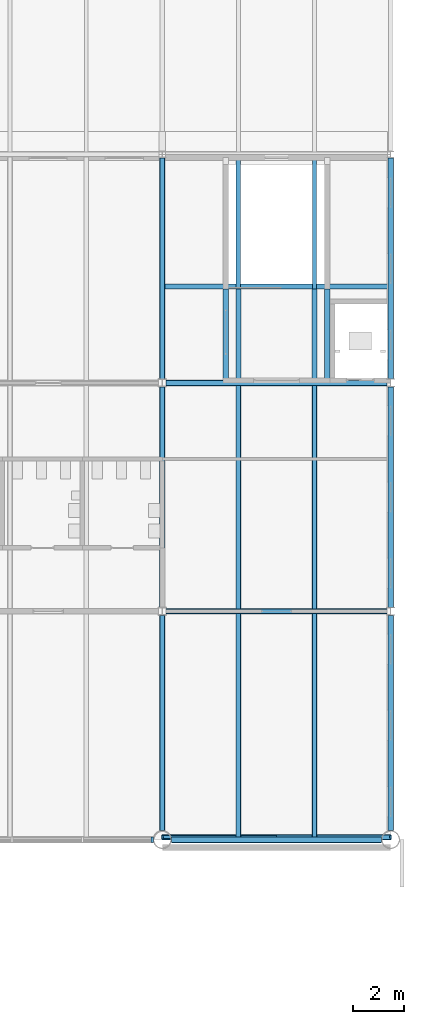
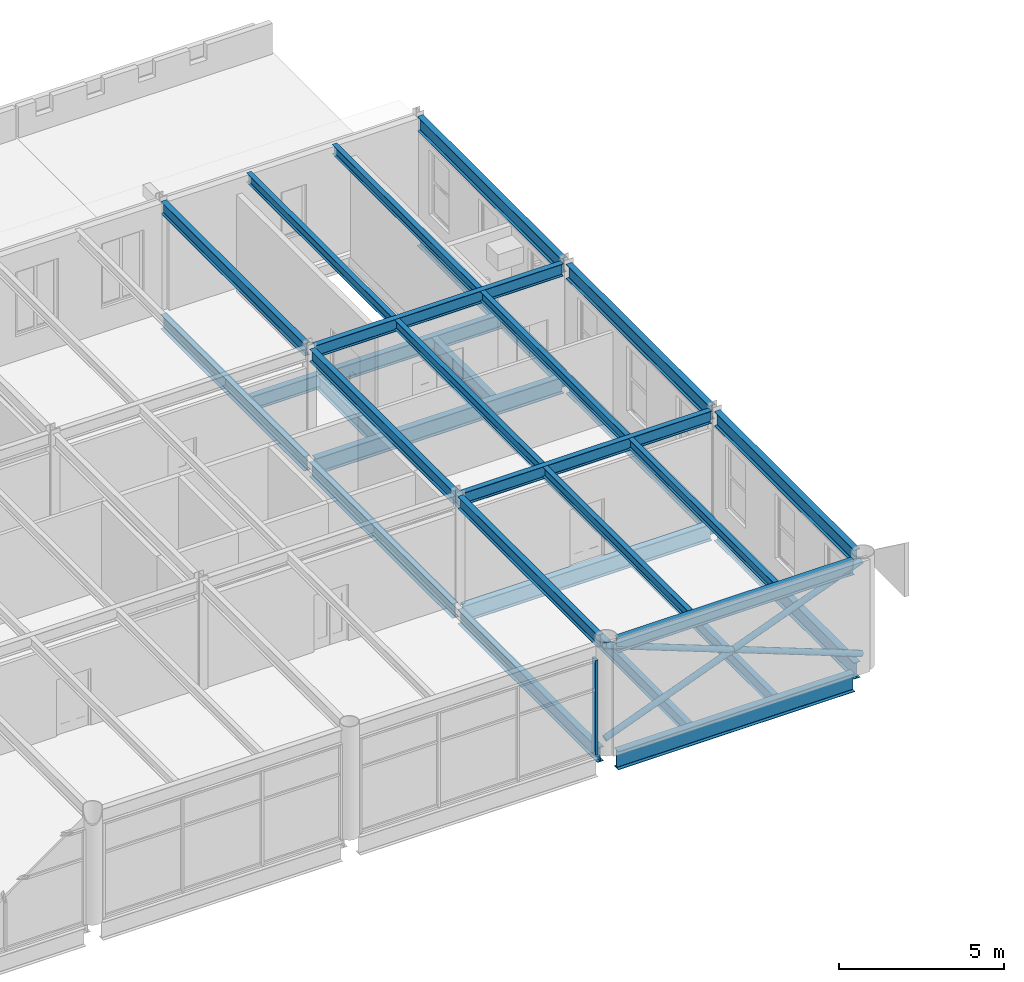
# One storey, part 49 of 123: 33 beams, 3 members, 1 element without a shape of its own.
"""IFC4 building model written with IfcOpenShell, lengths in metres."""

from ifc_helpers import new_model, si_unit, direction, frame, origin, origin_2d, place, context, subcontext, project, spatial, rectangle, hollow_circle, i_section, extrude, material, material_profile, profile_set, type_object, element, aggregate, save


model = new_model("IFC4")

# Units and contexts
model_context = context("Model", 3, precision=1e-05, world=origin(), true_north=direction((0.0, 1.0)))
body_context = subcontext(model_context, "Body", "Model", "MODEL_VIEW")
ifc_project = project(units=[si_unit("LENGTHUNIT", "METRE"), si_unit("AREAUNIT", "SQUARE_METRE"), si_unit("VOLUMEUNIT", "CUBIC_METRE"), si_unit("PLANEANGLEUNIT", "RADIAN"), si_unit("MASSUNIT", "GRAM", prefix="KILO")], contexts=[model_context])

# Site, building, storey
site_placement = place(None, origin())
site = spatial("IfcSite", under=ifc_project, at=site_placement, CompositionType="ELEMENT")
building_placement = place(site_placement, origin())
building = spatial("IfcBuilding", under=site, at=building_placement, Name="Baradari Gate Terminus", CompositionType="ELEMENT")
storey_placement = place(building_placement, frame((0.0, 0.0, 7.5)))
storey = spatial("IfcBuildingStorey", under=building, at=storey_placement, Name="L01", CompositionType="ELEMENT", Elevation=7.5)

# Members
ifc_material_1 = material(Name="Steel S355", Category="steel")
ifc_material_profile_1 = material_profile(ifc_material_1, hollow_circle(Radius=0.109619140625, WallThickness=0.010009765625, at=origin_2d()), Name="CHS 219.1x10")
ifc_profile_set_1 = profile_set([ifc_material_profile_1], Name="Steel S355")
member_type_1 = type_object("IfcMemberType", Name="Column bracing X08 CHS 219.1x10", PredefinedType="BRACE", material=ifc_profile_set_1)
for number, where, z_axis, x_axis, name in (
    (1, (234.0, 81.10009765625, 0.35009765625), (0.933747810426, 0.0, 0.357931594757), (0.0, 1.0, 0.0), "Column bracing 27-28 line K L01"),
    (2, (243.0, 81.10009765625, 0.35009765625), (-0.933747810426, 0.0, 0.357931594757), (0.0, -1.0, 0.0), "Column bracing 27-28 line K L01"),
):
    element("IfcMember", number, at=place(storey_placement, frame(where, z_axis=z_axis, x_axis=x_axis)), inside=storey, type_object=member_type_1, Name=name, PredefinedType="BRACE", context=body_context, shape_type="SweptSolid", body=[
        extrude(hollow_circle(Radius=0.109619140625, WallThickness=0.010009765625, at=origin_2d()), origin(), (0.0, 0.0, 1.0), 9.638671875),
    ])

# Curtain wall, member
ifc_material_2 = material(Name="Aluminium 6063-T6", Category="aluminium")
curtain_wall_type = type_object("IfcCurtainWallType", Name="Curtain wall CW-13 concourse gallery glazing", PredefinedType="NOTDEFINED", material=ifc_material_2)
curtain_wall_placement = place(storey_placement, origin())
curtain_wall = element("IfcCurtainWall", 3, at=curtain_wall_placement, inside=storey, type_object=curtain_wall_type, Name="Glazed curtain wall CW-13 HS bay 26 L01", PredefinedType="NOTDEFINED")
ifc_material_3 = material(Name="Aluminium 6063-T6", Category="aluminium")
ifc_material_profile_2 = material_profile(ifc_material_3, rectangle(XDim=0.22509765625, YDim=0.080078125, at=origin_2d()), Name="CM-13 80X225")
ifc_profile_set_2 = profile_set([ifc_material_profile_2], Name="Aluminium 6063-T6")
member_type_2 = type_object("IfcMemberType", Name="Curtain wall mullion CM-13 80x225", PredefinedType="MULLION", material=ifc_profile_set_2)
member_placement = place(storey_placement, frame((233.6044921875, 81.0, 0.0), z_axis=(0.0, 0.0, 1.0), x_axis=(0.0, 1.0, 0.0)))
member = element("IfcMember", 4, at=member_placement, type_object=member_type_2, Name="CW-13 mullion 4", PredefinedType="MULLION", context=body_context, shape_type="SweptSolid", body=[
    extrude(rectangle(XDim=0.22509765625, YDim=0.080078125, at=origin_2d()), origin(), (0.0, 0.0, 1.0), 3.516845703125),
])
aggregate(curtain_wall, [member])

# Beams
ifc_material_4 = material(Name="Steel S355", Category="steel")
ifc_material_profile_3 = material_profile(ifc_material_4, i_section(OverallWidth=0.210693359375, OverallDepth=0.53955078125, WebThickness=0.01171875, FlangeThickness=0.018798828125, FilletRadius=0.0126953125, at=origin_2d()), Name="UB 533x210x109")
ifc_profile_set_3 = profile_set([ifc_material_profile_3], Name="Steel S355")
beam_type_1 = type_object("IfcBeamType", Name="Head-house cross girder B12 UB 533x210x109", PredefinedType="BEAM", material=ifc_profile_set_3)
beam_1_placement = place(storey_placement, frame((234.0, 81.35546875, -0.399658203125), z_axis=(0.0, 1.0, 0.0), x_axis=(-1.0, 0.0, 0.0)))
element("IfcBeam", 5, at=beam_1_placement, inside=storey, type_object=beam_type_1, Name="Head-house cross girder B12 27:81.356-89.843 L01", PredefinedType="BEAM", context=body_context, shape_type="SweptSolid", body=[
    extrude(i_section(OverallWidth=0.210693359375, OverallDepth=0.53955078125, WebThickness=0.01171875, FlangeThickness=0.018798828125, FilletRadius=0.0126953125, at=origin_2d()), origin(), (0.0, 0.0, 1.0), 8.4873046875),
])
beam_2_placement = place(storey_placement, frame((234.0, 90.1572265625, -0.399658203125), z_axis=(0.0, 1.0, 0.0), x_axis=(-1.0, 0.0, 0.0)))
element("IfcBeam", 6, at=beam_2_placement, inside=storey, type_object=beam_type_1, Name="Head-house cross girder B12 27:90.157-98.843 L01", PredefinedType="BEAM", context=body_context, shape_type="SweptSolid", body=[
    extrude(i_section(OverallWidth=0.210693359375, OverallDepth=0.53955078125, WebThickness=0.01171875, FlangeThickness=0.018798828125, FilletRadius=0.0126953125, at=origin_2d()), origin(), (0.0, 0.0, 1.0), 8.685546875),
])
beam_3_placement = place(storey_placement, frame((234.0, 99.1572265625, -0.399658203125), z_axis=(0.0, 1.0, 0.0), x_axis=(-1.0, 0.0, 0.0)))
element("IfcBeam", 7, at=beam_3_placement, inside=storey, type_object=beam_type_1, Name="Head-house cross girder B12 27:99.157-107.87 L01", PredefinedType="BEAM", context=body_context, shape_type="SweptSolid", body=[
    extrude(i_section(OverallWidth=0.210693359375, OverallDepth=0.53955078125, WebThickness=0.01171875, FlangeThickness=0.018798828125, FilletRadius=0.0126953125, at=origin_2d()), origin(), (0.0, 0.0, 1.0), 8.712646484375),
])
ifc_material_5 = material(Name="Steel S355", Category="steel")
ifc_material_profile_4 = material_profile(ifc_material_5, i_section(OverallWidth=0.2529296875, OverallDepth=0.677978515625, WebThickness=0.01171875, FlangeThickness=0.01611328125, FilletRadius=0.01513671875, at=origin_2d()), Name="UB 686x254x125")
ifc_profile_set_4 = profile_set([ifc_material_profile_4], Name="Steel S355")
beam_type_2 = type_object("IfcBeamType", Name="Head-house edge girder B07 UB 686x254x125", PredefinedType="BEAM", material=ifc_profile_set_4)
beam_4_placement = place(storey_placement, frame((234.35546875, 81.0, -0.468994140625), z_axis=(1.0, 0.0, 0.0), x_axis=(0.0, 1.0, 0.0)))
element("IfcBeam", 8, at=beam_4_placement, inside=storey, type_object=beam_type_2, Name="Head-house edge girder B07 K:234.356-242.644 L01", PredefinedType="BEAM", context=body_context, shape_type="SweptSolid", body=[
    extrude(i_section(OverallWidth=0.2529296875, OverallDepth=0.677978515625, WebThickness=0.01171875, FlangeThickness=0.01611328125, FilletRadius=0.01513671875, at=origin_2d()), origin(), (0.0, 0.0, 1.0), 8.2890625),
])
ifc_material_6 = material(Name="Steel S355", Category="steel")
ifc_material_profile_5 = material_profile(ifc_material_6, i_section(OverallWidth=0.2275390625, OverallDepth=0.6025390625, WebThickness=0.010498046875, FlangeThickness=0.014892578125, FilletRadius=0.0126953125, at=origin_2d()), Name="UB 610x229x101")
ifc_profile_set_5 = profile_set([ifc_material_profile_5], Name="Steel S355")
beam_type_3 = type_object("IfcBeamType", Name="Head-house end girder B13 UB 610x229x101", PredefinedType="BEAM", material=ifc_profile_set_5)
beam_5_placement = place(storey_placement, frame((243.0, 81.35546875, -0.431396484375), z_axis=(0.0, 1.0, 0.0), x_axis=(-1.0, 0.0, 0.0)))
element("IfcBeam", 9, at=beam_5_placement, inside=storey, type_object=beam_type_3, Name="Head-house end girder B13 28:81.356-89.843 L01", PredefinedType="BEAM", context=body_context, shape_type="SweptSolid", body=[
    extrude(i_section(OverallWidth=0.2275390625, OverallDepth=0.6025390625, WebThickness=0.010498046875, FlangeThickness=0.014892578125, FilletRadius=0.0126953125, at=origin_2d()), origin(), (0.0, 0.0, 1.0), 8.4873046875),
])
beam_6_placement = place(storey_placement, frame((243.0, 90.1572265625, -0.431396484375), z_axis=(0.0, 1.0, 0.0), x_axis=(-1.0, 0.0, 0.0)))
element("IfcBeam", 10, at=beam_6_placement, inside=storey, type_object=beam_type_3, Name="Head-house end girder B13 28:90.157-98.843 L01", PredefinedType="BEAM", context=body_context, shape_type="SweptSolid", body=[
    extrude(i_section(OverallWidth=0.2275390625, OverallDepth=0.6025390625, WebThickness=0.010498046875, FlangeThickness=0.014892578125, FilletRadius=0.0126953125, at=origin_2d()), origin(), (0.0, 0.0, 1.0), 8.685546875),
])
beam_7_placement = place(storey_placement, frame((243.0, 99.1572265625, -0.431396484375), z_axis=(0.0, 1.0, 0.0), x_axis=(-1.0, 0.0, 0.0)))
element("IfcBeam", 11, at=beam_7_placement, inside=storey, type_object=beam_type_3, Name="Head-house end girder B13 28:99.157-107.87 L01", PredefinedType="BEAM", context=body_context, shape_type="SweptSolid", body=[
    extrude(i_section(OverallWidth=0.2275390625, OverallDepth=0.6025390625, WebThickness=0.010498046875, FlangeThickness=0.014892578125, FilletRadius=0.0126953125, at=origin_2d()), origin(), (0.0, 0.0, 1.0), 8.712646484375),
])
ifc_material_7 = material(Name="Steel S355", Category="steel")
ifc_material_profile_6 = material_profile(ifc_material_7, i_section(OverallWidth=0.22900390625, OverallDepth=0.6123046875, WebThickness=0.011962890625, FlangeThickness=0.01953125, FilletRadius=0.0126953125, at=origin_2d()), Name="UB 610x229x125")
ifc_profile_set_6 = profile_set([ifc_material_profile_6], Name="Steel S355")
beam_type_4 = type_object("IfcBeamType", Name="Head-house girder B09 UB 610x229x125", PredefinedType="BEAM", material=ifc_profile_set_6)
for number, where, z_axis, x_axis, name in (
    (12, (234.15380859375, 90.0, -0.43603515625), (1.0, 0.0, 0.0), (0.0, 1.0, 0.0), "Head-house girder B09 L:234.154-242.846 L01"),
    (13, (234.15380859375, 99.0, -0.43603515625), (1.0, 0.0, 0.0), (0.0, 1.0, 0.0), "Head-house girder B09 M:234.154-242.846 L01"),
):
    element("IfcBeam", number, at=place(storey_placement, frame(where, z_axis=z_axis, x_axis=x_axis)), inside=storey, type_object=beam_type_4, Name=name, PredefinedType="BEAM", context=body_context, shape_type="SweptSolid", body=[
        extrude(i_section(OverallWidth=0.22900390625, OverallDepth=0.6123046875, WebThickness=0.011962890625, FlangeThickness=0.01953125, FilletRadius=0.0126953125, at=origin_2d()), origin(), (0.0, 0.0, 1.0), 8.6923828125),
    ])
ifc_material_8 = material(Name="Steel S355", Category="steel")
ifc_material_profile_7 = material_profile(ifc_material_8, i_section(OverallWidth=0.1904296875, OverallDepth=0.45703125, WebThickness=0.009033203125, FlangeThickness=0.014404296875, FilletRadius=0.01025390625, at=origin_2d()), Name="UB 457x191x74")
ifc_profile_set_7 = profile_set([ifc_material_profile_7], Name="Steel S355")
beam_type_5 = type_object("IfcBeamType", Name="Head-house roof cross girder B51 UB 457x191x74", PredefinedType="BEAM", material=ifc_profile_set_7)
beam_8_placement = place(storey_placement, frame((234.0, 81.35546875, 3.821533203125), z_axis=(0.0, 1.0, 0.0), x_axis=(-1.0, 0.0, 0.0)))
element("IfcBeam", 14, at=beam_8_placement, inside=storey, type_object=beam_type_5, Name="Head-house roof cross girder B51 27:81.356-89.843 L01", PredefinedType="BEAM", context=body_context, shape_type="SweptSolid", body=[
    extrude(i_section(OverallWidth=0.1904296875, OverallDepth=0.45703125, WebThickness=0.009033203125, FlangeThickness=0.014404296875, FilletRadius=0.01025390625, at=origin_2d()), origin(), (0.0, 0.0, 1.0), 8.4873046875),
])
beam_9_placement = place(storey_placement, frame((234.0, 90.1572265625, 3.821533203125), z_axis=(0.0, 1.0, 0.0), x_axis=(-1.0, 0.0, 0.0)))
element("IfcBeam", 15, at=beam_9_placement, inside=storey, type_object=beam_type_5, Name="Head-house roof cross girder B51 27:90.157-98.843 L01", PredefinedType="BEAM", context=body_context, shape_type="SweptSolid", body=[
    extrude(i_section(OverallWidth=0.1904296875, OverallDepth=0.45703125, WebThickness=0.009033203125, FlangeThickness=0.014404296875, FilletRadius=0.01025390625, at=origin_2d()), origin(), (0.0, 0.0, 1.0), 8.685546875),
])
beam_10_placement = place(storey_placement, frame((234.0, 99.1572265625, 3.821533203125), z_axis=(0.0, 1.0, 0.0), x_axis=(-1.0, 0.0, 0.0)))
element("IfcBeam", 16, at=beam_10_placement, inside=storey, type_object=beam_type_5, Name="Head-house roof cross girder B51 27:99.157-107.87 L01", PredefinedType="BEAM", context=body_context, shape_type="SweptSolid", body=[
    extrude(i_section(OverallWidth=0.1904296875, OverallDepth=0.45703125, WebThickness=0.009033203125, FlangeThickness=0.014404296875, FilletRadius=0.01025390625, at=origin_2d()), origin(), (0.0, 0.0, 1.0), 8.712646484375),
])
ifc_material_9 = material(Name="Steel S355", Category="steel")
ifc_material_profile_8 = material_profile(ifc_material_9, i_section(OverallWidth=0.209228515625, OverallDepth=0.533203125, WebThickness=0.010009765625, FlangeThickness=0.015625, FilletRadius=0.0126953125, at=origin_2d()), Name="UB 533x210x92")
ifc_profile_set_8 = profile_set([ifc_material_profile_8], Name="Steel S355")
beam_type_6 = type_object("IfcBeamType", Name="Head-house roof edge girder B48 UB 533x210x92", PredefinedType="BEAM", material=ifc_profile_set_8)
beam_11_placement = place(storey_placement, frame((234.35546875, 81.0, 3.783447265625), z_axis=(1.0, 0.0, 0.0), x_axis=(0.0, 1.0, 0.0)))
element("IfcBeam", 17, at=beam_11_placement, inside=storey, type_object=beam_type_6, Name="Head-house roof edge girder B48 K:234.356-242.644 L01", PredefinedType="BEAM", context=body_context, shape_type="SweptSolid", body=[
    extrude(i_section(OverallWidth=0.209228515625, OverallDepth=0.533203125, WebThickness=0.010009765625, FlangeThickness=0.015625, FilletRadius=0.0126953125, at=origin_2d()), origin(), (0.0, 0.0, 1.0), 8.2890625),
])
beam_12_placement = place(storey_placement, frame((243.0, 81.35546875, 3.783447265625), z_axis=(0.0, 1.0, 0.0), x_axis=(-1.0, 0.0, 0.0)))
element("IfcBeam", 18, at=beam_12_placement, inside=storey, type_object=beam_type_6, Name="Head-house roof edge girder B48 28:81.356-89.843 L01", PredefinedType="BEAM", context=body_context, shape_type="SweptSolid", body=[
    extrude(i_section(OverallWidth=0.209228515625, OverallDepth=0.533203125, WebThickness=0.010009765625, FlangeThickness=0.015625, FilletRadius=0.0126953125, at=origin_2d()), origin(), (0.0, 0.0, 1.0), 8.4873046875),
])
beam_13_placement = place(storey_placement, frame((243.0, 90.1572265625, 3.783447265625), z_axis=(0.0, 1.0, 0.0), x_axis=(-1.0, 0.0, 0.0)))
element("IfcBeam", 19, at=beam_13_placement, inside=storey, type_object=beam_type_6, Name="Head-house roof edge girder B48 28:90.157-98.843 L01", PredefinedType="BEAM", context=body_context, shape_type="SweptSolid", body=[
    extrude(i_section(OverallWidth=0.209228515625, OverallDepth=0.533203125, WebThickness=0.010009765625, FlangeThickness=0.015625, FilletRadius=0.0126953125, at=origin_2d()), origin(), (0.0, 0.0, 1.0), 8.685546875),
])
beam_14_placement = place(storey_placement, frame((243.0, 99.1572265625, 3.783447265625), z_axis=(0.0, 1.0, 0.0), x_axis=(-1.0, 0.0, 0.0)))
element("IfcBeam", 20, at=beam_14_placement, inside=storey, type_object=beam_type_6, Name="Head-house roof edge girder B48 28:99.157-107.87 L01", PredefinedType="BEAM", context=body_context, shape_type="SweptSolid", body=[
    extrude(i_section(OverallWidth=0.209228515625, OverallDepth=0.533203125, WebThickness=0.010009765625, FlangeThickness=0.015625, FilletRadius=0.0126953125, at=origin_2d()), origin(), (0.0, 0.0, 1.0), 8.712646484375),
])
ifc_material_10 = material(Name="Steel S355", Category="steel")
ifc_material_profile_9 = material_profile(ifc_material_10, i_section(OverallWidth=0.19140625, OverallDepth=0.4599609375, WebThickness=0.010009765625, FlangeThickness=0.01611328125, FilletRadius=0.01025390625, at=origin_2d()), Name="UB 457x191x82")
ifc_profile_set_9 = profile_set([ifc_material_profile_9], Name="Steel S355")
beam_type_7 = type_object("IfcBeamType", Name="Head-house roof girder B49 UB 457x191x82", PredefinedType="BEAM", material=ifc_profile_set_9)
for number, where, z_axis, x_axis, name in (
    (21, (234.15380859375, 90.0, 3.820068359375), (1.0, 0.0, 0.0), (0.0, 1.0, 0.0), "Head-house roof girder B49 L:234.154-242.846 L01"),
    (22, (234.15380859375, 99.0, 3.820068359375), (1.0, 0.0, 0.0), (0.0, 1.0, 0.0), "Head-house roof girder B49 M:234.154-242.846 L01"),
):
    element("IfcBeam", number, at=place(storey_placement, frame(where, z_axis=z_axis, x_axis=x_axis)), inside=storey, type_object=beam_type_7, Name=name, PredefinedType="BEAM", context=body_context, shape_type="SweptSolid", body=[
        extrude(i_section(OverallWidth=0.19140625, OverallDepth=0.4599609375, WebThickness=0.010009765625, FlangeThickness=0.01611328125, FilletRadius=0.01025390625, at=origin_2d()), origin(), (0.0, 0.0, 1.0), 8.6923828125),
    ])
ifc_material_11 = material(Name="Steel S355", Category="steel")
ifc_material_profile_10 = material_profile(ifc_material_11, i_section(OverallWidth=0.17138671875, OverallDepth=0.35498046875, WebThickness=0.00732421875, FlangeThickness=0.011474609375, FilletRadius=0.01025390625, at=origin_2d()), Name="UB 356x171x51")
ifc_profile_set_10 = profile_set([ifc_material_profile_10], Name="Steel S355")
beam_type_8 = type_object("IfcBeamType", Name="Head-house roof secondary beam B50 UB 356x171x51", PredefinedType="BEAM", material=ifc_profile_set_10)
beam_15_placement = place(storey_placement, frame((237.0, 81.104736328125, 3.87255859375), z_axis=(0.0, 1.0, 0.0), x_axis=(-1.0, 0.0, 0.0)))
element("IfcBeam", 23, at=beam_15_placement, inside=storey, type_object=beam_type_8, Name="Head-house roof secondary beam B50 237:81.105-89.904 L01", PredefinedType="BEAM", context=body_context, shape_type="SweptSolid", body=[
    extrude(i_section(OverallWidth=0.17138671875, OverallDepth=0.35498046875, WebThickness=0.00732421875, FlangeThickness=0.011474609375, FilletRadius=0.01025390625, at=origin_2d()), origin(), (0.0, 0.0, 1.0), 8.799560546875),
])
beam_16_placement = place(storey_placement, frame((237.0, 90.095703125, 3.87255859375), z_axis=(0.0, 1.0, 0.0), x_axis=(-1.0, 0.0, 0.0)))
element("IfcBeam", 24, at=beam_16_placement, inside=storey, type_object=beam_type_8, Name="Head-house roof secondary beam B50 237:90.096-98.904 L01", PredefinedType="BEAM", context=body_context, shape_type="SweptSolid", body=[
    extrude(i_section(OverallWidth=0.17138671875, OverallDepth=0.35498046875, WebThickness=0.00732421875, FlangeThickness=0.011474609375, FilletRadius=0.01025390625, at=origin_2d()), origin(), (0.0, 0.0, 1.0), 8.80859375),
])
for number, where, z_axis, x_axis, name in (
    (25, (237.0, 99.095703125, 3.87255859375), (0.0, 1.0, 0.0), (-1.0, 0.0, 0.0), "Head-house roof secondary beam B50 237:99.096-107.895 L01"),
    (26, (240.0, 81.104736328125, 3.87255859375), (0.0, 1.0, 0.0), (-1.0, 0.0, 0.0), "Head-house roof secondary beam B50 240:81.105-89.904 L01"),
):
    element("IfcBeam", number, at=place(storey_placement, frame(where, z_axis=z_axis, x_axis=x_axis)), inside=storey, type_object=beam_type_8, Name=name, PredefinedType="BEAM", context=body_context, shape_type="SweptSolid", body=[
        extrude(i_section(OverallWidth=0.17138671875, OverallDepth=0.35498046875, WebThickness=0.00732421875, FlangeThickness=0.011474609375, FilletRadius=0.01025390625, at=origin_2d()), origin(), (0.0, 0.0, 1.0), 8.799560546875),
    ])
beam_17_placement = place(storey_placement, frame((240.0, 90.095703125, 3.87255859375), z_axis=(0.0, 1.0, 0.0), x_axis=(-1.0, 0.0, 0.0)))
element("IfcBeam", 27, at=beam_17_placement, inside=storey, type_object=beam_type_8, Name="Head-house roof secondary beam B50 240:90.096-98.904 L01", PredefinedType="BEAM", context=body_context, shape_type="SweptSolid", body=[
    extrude(i_section(OverallWidth=0.17138671875, OverallDepth=0.35498046875, WebThickness=0.00732421875, FlangeThickness=0.011474609375, FilletRadius=0.01025390625, at=origin_2d()), origin(), (0.0, 0.0, 1.0), 8.80859375),
])
beam_18_placement = place(storey_placement, frame((240.0, 99.095703125, 3.87255859375), z_axis=(0.0, 1.0, 0.0), x_axis=(-1.0, 0.0, 0.0)))
element("IfcBeam", 28, at=beam_18_placement, inside=storey, type_object=beam_type_8, Name="Head-house roof secondary beam B50 240:99.096-107.895 L01", PredefinedType="BEAM", context=body_context, shape_type="SweptSolid", body=[
    extrude(i_section(OverallWidth=0.17138671875, OverallDepth=0.35498046875, WebThickness=0.00732421875, FlangeThickness=0.011474609375, FilletRadius=0.01025390625, at=origin_2d()), origin(), (0.0, 0.0, 1.0), 8.799560546875),
])
ifc_material_12 = material(Name="Steel S355", Category="steel")
ifc_material_profile_11 = material_profile(ifc_material_12, i_section(OverallWidth=0.18994140625, OverallDepth=0.453369140625, WebThickness=0.008544921875, FlangeThickness=0.0126953125, FilletRadius=0.01025390625, at=origin_2d()), Name="UB 457x191x67")
ifc_profile_set_11 = profile_set([ifc_material_profile_11], Name="Steel S355")
beam_type_9 = type_object("IfcBeamType", Name="Head-house secondary beam B11 UB 457x191x67", PredefinedType="BEAM", material=ifc_profile_set_11)
beam_19_placement = place(storey_placement, frame((237.0, 81.12646484375, -0.356689453125), z_axis=(0.0, 1.0, 0.0), x_axis=(-1.0, 0.0, 0.0)))
element("IfcBeam", 29, at=beam_19_placement, inside=storey, type_object=beam_type_9, Name="Head-house secondary beam B11 237:81.126-89.885 L01", PredefinedType="BEAM", context=body_context, shape_type="SweptSolid", body=[
    extrude(i_section(OverallWidth=0.18994140625, OverallDepth=0.453369140625, WebThickness=0.008544921875, FlangeThickness=0.0126953125, FilletRadius=0.01025390625, at=origin_2d()), origin(), (0.0, 0.0, 1.0), 8.759033203125),
])
beam_20_placement = place(storey_placement, frame((237.0, 90.114501953125, -0.356689453125), z_axis=(0.0, 1.0, 0.0), x_axis=(-1.0, 0.0, 0.0)))
element("IfcBeam", 30, at=beam_20_placement, inside=storey, type_object=beam_type_9, Name="Head-house secondary beam B11 237:90.115-98.885 L01", PredefinedType="BEAM", context=body_context, shape_type="SweptSolid", body=[
    extrude(i_section(OverallWidth=0.18994140625, OverallDepth=0.453369140625, WebThickness=0.008544921875, FlangeThickness=0.0126953125, FilletRadius=0.01025390625, at=origin_2d()), origin(), (0.0, 0.0, 1.0), 8.77099609375),
])
beam_21_placement = place(storey_placement, frame((237.0, 99.114501953125, -0.356689453125), z_axis=(0.0, 1.0, 0.0), x_axis=(-1.0, 0.0, 0.0)))
element("IfcBeam", 31, at=beam_21_placement, inside=storey, type_object=beam_type_9, Name="Head-house secondary beam B11 237:99.115-102.695 L01", PredefinedType="BEAM", context=body_context, shape_type="SweptSolid", body=[
    extrude(i_section(OverallWidth=0.18994140625, OverallDepth=0.453369140625, WebThickness=0.008544921875, FlangeThickness=0.0126953125, FilletRadius=0.01025390625, at=origin_2d()), origin(), (0.0, 0.0, 1.0), 3.580810546875),
])
beam_22_placement = place(storey_placement, frame((240.0, 81.12646484375, -0.356689453125), z_axis=(0.0, 1.0, 0.0), x_axis=(-1.0, 0.0, 0.0)))
element("IfcBeam", 32, at=beam_22_placement, inside=storey, type_object=beam_type_9, Name="Head-house secondary beam B11 240:81.126-89.885 L01", PredefinedType="BEAM", context=body_context, shape_type="SweptSolid", body=[
    extrude(i_section(OverallWidth=0.18994140625, OverallDepth=0.453369140625, WebThickness=0.008544921875, FlangeThickness=0.0126953125, FilletRadius=0.01025390625, at=origin_2d()), origin(), (0.0, 0.0, 1.0), 8.759033203125),
])
beam_23_placement = place(storey_placement, frame((240.0, 90.114501953125, -0.356689453125), z_axis=(0.0, 1.0, 0.0), x_axis=(-1.0, 0.0, 0.0)))
element("IfcBeam", 33, at=beam_23_placement, inside=storey, type_object=beam_type_9, Name="Head-house secondary beam B11 240:90.115-98.885 L01", PredefinedType="BEAM", context=body_context, shape_type="SweptSolid", body=[
    extrude(i_section(OverallWidth=0.18994140625, OverallDepth=0.453369140625, WebThickness=0.008544921875, FlangeThickness=0.0126953125, FilletRadius=0.01025390625, at=origin_2d()), origin(), (0.0, 0.0, 1.0), 8.77099609375),
])
beam_24_placement = place(storey_placement, frame((240.0, 99.114501953125, -0.356689453125), z_axis=(0.0, 1.0, 0.0), x_axis=(-1.0, 0.0, 0.0)))
element("IfcBeam", 34, at=beam_24_placement, inside=storey, type_object=beam_type_9, Name="Head-house secondary beam B11 240:99.115-102.695 L01", PredefinedType="BEAM", context=body_context, shape_type="SweptSolid", body=[
    extrude(i_section(OverallWidth=0.18994140625, OverallDepth=0.453369140625, WebThickness=0.008544921875, FlangeThickness=0.0126953125, FilletRadius=0.01025390625, at=origin_2d()), origin(), (0.0, 0.0, 1.0), 3.580810546875),
])
ifc_material_13 = material(Name="Steel S355", Category="steel")
ifc_material_profile_12 = material_profile(ifc_material_13, i_section(OverallWidth=0.209228515625, OverallDepth=0.533203125, WebThickness=0.010009765625, FlangeThickness=0.015625, FilletRadius=0.0126953125, at=origin_2d()), Name="UB 533x210x92")
ifc_profile_set_12 = profile_set([ifc_material_profile_12], Name="Steel S355")
beam_type_10 = type_object("IfcBeamType", Name="Head-house trimmer beam B08 UB 533x210x92", PredefinedType="BEAM", material=ifc_profile_set_12)
beam_25_placement = place(storey_placement, frame((234.10546875, 102.800048828125, -0.396484375), z_axis=(1.0, 0.0, 0.0), x_axis=(0.0, 1.0, 0.0)))
element("IfcBeam", 35, at=beam_25_placement, inside=storey, type_object=beam_type_10, Name="Head-house trimmer beam B08 102.8:234.105-242.886 L01", PredefinedType="BEAM", context=body_context, shape_type="SweptSolid", body=[
    extrude(i_section(OverallWidth=0.209228515625, OverallDepth=0.533203125, WebThickness=0.010009765625, FlangeThickness=0.015625, FilletRadius=0.0126953125, at=origin_2d()), origin(), (0.0, 0.0, 1.0), 8.78076171875),
])
for number, where, z_axis, x_axis, name in (
    (36, (236.4951171875, 99.114501953125, -0.396484375), (0.0, 1.0, 0.0), (-1.0, 0.0, 0.0), "Head-house trimmer beam B08 236.495:99.115-102.695 L01"),
    (37, (240.5048828125, 99.114501953125, -0.396484375), (0.0, 1.0, 0.0), (-1.0, 0.0, 0.0), "Head-house trimmer beam B08 240.505:99.115-102.695 L01"),
):
    element("IfcBeam", number, at=place(storey_placement, frame(where, z_axis=z_axis, x_axis=x_axis)), inside=storey, type_object=beam_type_10, Name=name, PredefinedType="BEAM", context=body_context, shape_type="SweptSolid", body=[
        extrude(i_section(OverallWidth=0.209228515625, OverallDepth=0.533203125, WebThickness=0.010009765625, FlangeThickness=0.015625, FilletRadius=0.0126953125, at=origin_2d()), origin(), (0.0, 0.0, 1.0), 3.580810546875),
    ])

save(model, "model.ifc")
